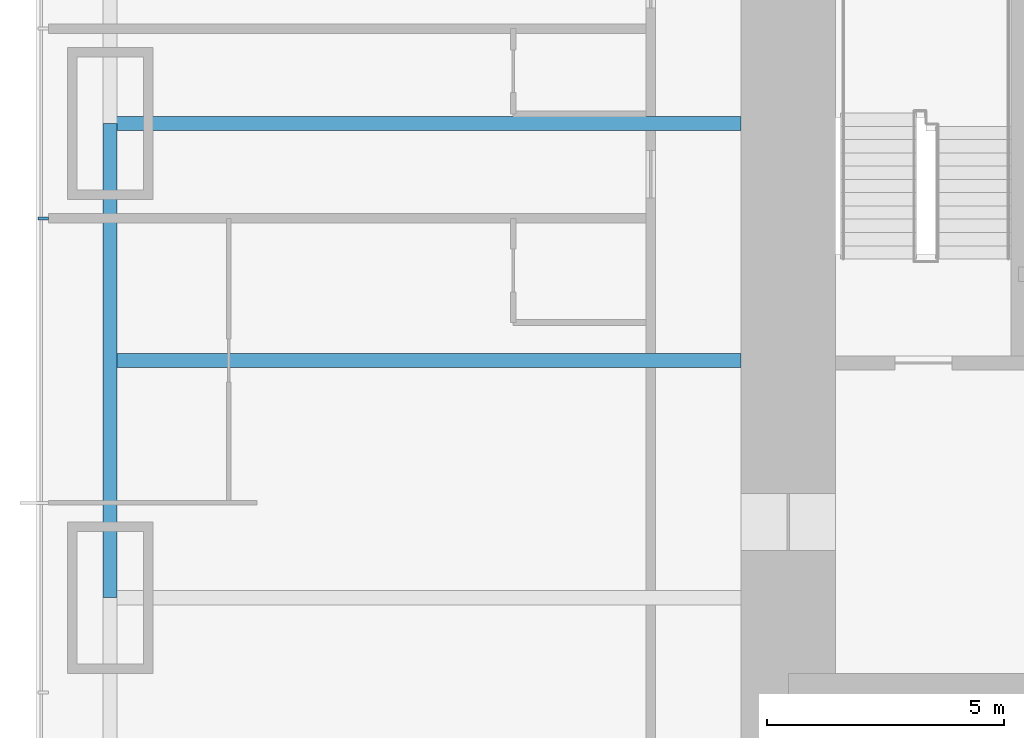
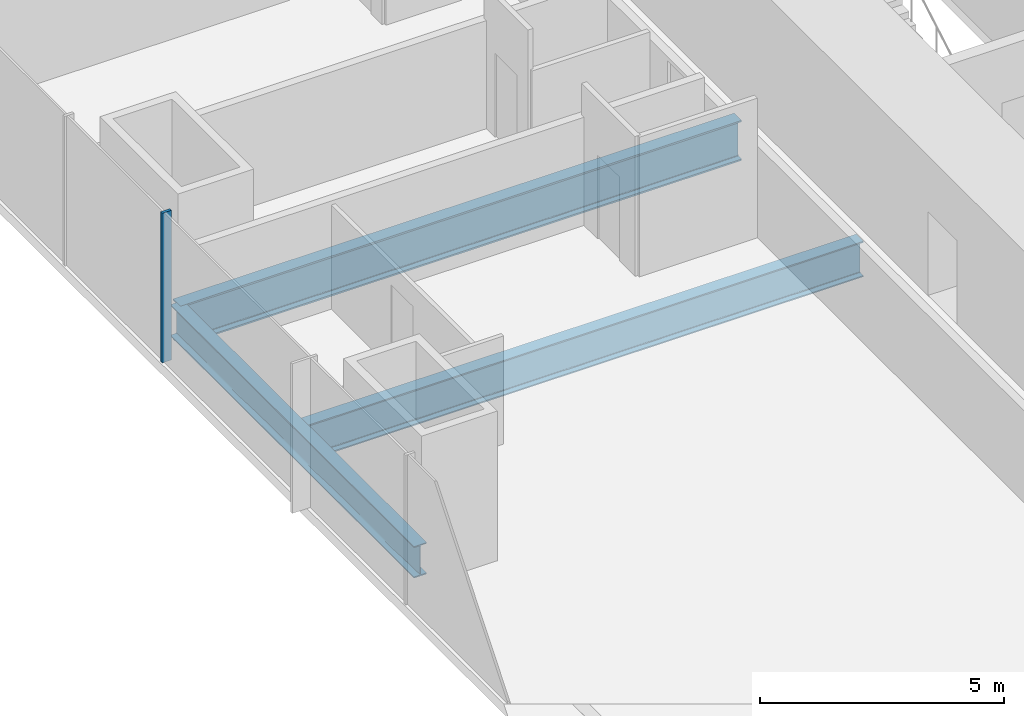
# One storey, part 3 of 16: 3 beams, 1 member, 1 element without a shape of its own.
"""IFC4 building model written with IfcOpenShell, lengths in metres."""

from ifc_helpers import new_model, si_unit, direction, frame, origin, origin_2d, place, context, subcontext, project, spatial, rectangle, i_section, extrude, material, material_profile, profile_set, type_object, element, aggregate, save


model = new_model("IFC4")

# Units and contexts
model_context = context("Model", 3, precision=1e-05, world=origin(), true_north=direction((0.0, 1.0)))
body_context = subcontext(model_context, "Body", "Model", "MODEL_VIEW")
ifc_project = project(units=[si_unit("LENGTHUNIT", "METRE"), si_unit("AREAUNIT", "SQUARE_METRE"), si_unit("VOLUMEUNIT", "CUBIC_METRE"), si_unit("PLANEANGLEUNIT", "RADIAN"), si_unit("MASSUNIT", "GRAM", prefix="KILO")], contexts=[model_context])

# Site, building, storey
site_placement = place(None, origin())
site = spatial("IfcSite", under=ifc_project, at=site_placement, CompositionType="ELEMENT")
building_placement = place(site_placement, origin())
building = spatial("IfcBuilding", under=site, at=building_placement, Name="Khuree Lantern Residences", CompositionType="ELEMENT")
storey_placement = place(building_placement, frame((0.0, 0.0, 66.0)))
storey = spatial("IfcBuildingStorey", under=building, at=storey_placement, Name="L16", CompositionType="ELEMENT", Elevation=66.0)

# Beams
ifc_material_1 = material(Name="Steel S355", Category="steel")
ifc_material_profile_1 = material_profile(ifc_material_1, i_section(OverallWidth=0.300048828125, OverallDepth=0.889892578125, WebThickness=0.01611328125, FlangeThickness=0.030029296875, FilletRadius=0.030029296875, at=origin_2d()), Name="HE 900 A")
ifc_profile_set_1 = profile_set([ifc_material_profile_1], Name="Steel S355")
beam_type_1 = type_object("IfcBeamType", Name="B-14 SECONDARY BEAM HE 900 A", PredefinedType="BEAM", material=ifc_profile_set_1)
beam_1_placement = place(storey_placement, frame((-29.800048828125, -5.0, -0.695068359375), z_axis=(1.0, 0.0, 0.0), x_axis=(0.0, 1.0, 0.0)))
element("IfcBeam", 1, at=beam_1_placement, inside=storey, type_object=beam_type_1, Name="Secondary beam W3", PredefinedType="BEAM", context=body_context, shape_type="SweptSolid", body=[
    extrude(i_section(OverallWidth=0.300048828125, OverallDepth=0.889892578125, WebThickness=0.01611328125, FlangeThickness=0.030029296875, FilletRadius=0.030029296875, at=origin_2d()), origin(), (0.0, 0.0, 1.0), 13.300048828125),
])
ifc_material_profile_2 = material_profile(ifc_material_1, i_section(OverallWidth=0.300048828125, OverallDepth=0.7900390625, WebThickness=0.014892578125, FlangeThickness=0.028076171875, FilletRadius=0.030029296875, at=origin_2d()), Name="HE 800 A")
ifc_profile_set_2 = profile_set([ifc_material_profile_2], Name="Steel S355")
beam_type_2 = type_object("IfcBeamType", Name="E-14 SPANDREL BEAM HE 800 A", PredefinedType="SPANDREL", material=ifc_profile_set_2)
beam_2_placement = place(storey_placement, frame((-29.800048828125, -10.0, -0.64501953125), z_axis=(0.0, 1.0, 0.0), x_axis=(-1.0, 0.0, 0.0)))
element("IfcBeam", 2, at=beam_2_placement, inside=storey, type_object=beam_type_2, Name="Spandrel beam W3", PredefinedType="SPANDREL", context=body_context, shape_type="SweptSolid", body=[
    extrude(i_section(OverallWidth=0.300048828125, OverallDepth=0.7900390625, WebThickness=0.014892578125, FlangeThickness=0.028076171875, FilletRadius=0.030029296875, at=origin_2d()), origin(), (0.0, 0.0, 1.0), 10.0),
])
ifc_material_profile_3 = material_profile(ifc_material_1, i_section(OverallWidth=0.302001953125, OverallDepth=1.008056640625, WebThickness=0.02099609375, FlangeThickness=0.0400390625, FilletRadius=0.030029296875, at=origin_2d()), Name="HE 1000 M")
ifc_profile_set_3 = profile_set([ifc_material_profile_3], Name="Steel S355")
beam_type_3 = type_object("IfcBeamType", Name="G-14 GIRDER HE 1000 M", PredefinedType="BEAM", material=ifc_profile_set_3)
beam_3_placement = place(storey_placement, frame((-29.800048828125, 0.0, -0.75390625), z_axis=(1.0, 0.0, 0.0), x_axis=(0.0, 1.0, 0.0)))
element("IfcBeam", 3, at=beam_3_placement, inside=storey, type_object=beam_type_3, Name="Girder W3", PredefinedType="BEAM", context=body_context, shape_type="SweptSolid", body=[
    extrude(i_section(OverallWidth=0.302001953125, OverallDepth=1.008056640625, WebThickness=0.02099609375, FlangeThickness=0.0400390625, FilletRadius=0.030029296875, at=origin_2d()), origin(), (0.0, 0.0, 1.0), 13.300048828125),
])

# Curtain wall, member
ifc_material_2 = material(Name="Bronze anodised aluminium", Category="aluminium")
curtain_wall_type = type_object("IfcCurtainWallType", Name="CW-T1 TOWER FACE CURTAIN WALL", PredefinedType="USERDEFINED", material=ifc_material_2)
curtain_wall_placement = place(storey_placement, origin())
curtain_wall = element("IfcCurtainWall", 4, at=curtain_wall_placement, inside=storey, type_object=curtain_wall_type, Name="L16 WEST FACE CURTAIN WALL", ObjectType="Stick-built curtain wall", PredefinedType="USERDEFINED")
ifc_material_profile_4 = material_profile(ifc_material_2, rectangle(XDim=0.06494140625, YDim=0.219970703125, at=origin_2d()), Name="M1 65X220")
ifc_profile_set_4 = profile_set([ifc_material_profile_4], Name="Bronze anodised aluminium")
member_type = type_object("IfcMemberType", Name="M1 BRONZE MULLION TOWER 65X220", PredefinedType="MULLION", material=ifc_profile_set_4)
member_placement = place(storey_placement, frame((-31.2099609375, -2.0, 0.0), z_axis=(0.0, 0.0, 1.0), x_axis=(0.0, -1.0, 0.0)))
member = element("IfcMember", 5, at=member_placement, type_object=member_type, Name="L16 WEST FACE MULLION 38", PredefinedType="MULLION", context=body_context, shape_type="SweptSolid", body=[
    extrude(rectangle(XDim=0.06494140625, YDim=0.219970703125, at=origin_2d()), origin(), (0.0, 0.0, 1.0), 3.75),
])
aggregate(curtain_wall, [member])

save(model, "model.ifc")
